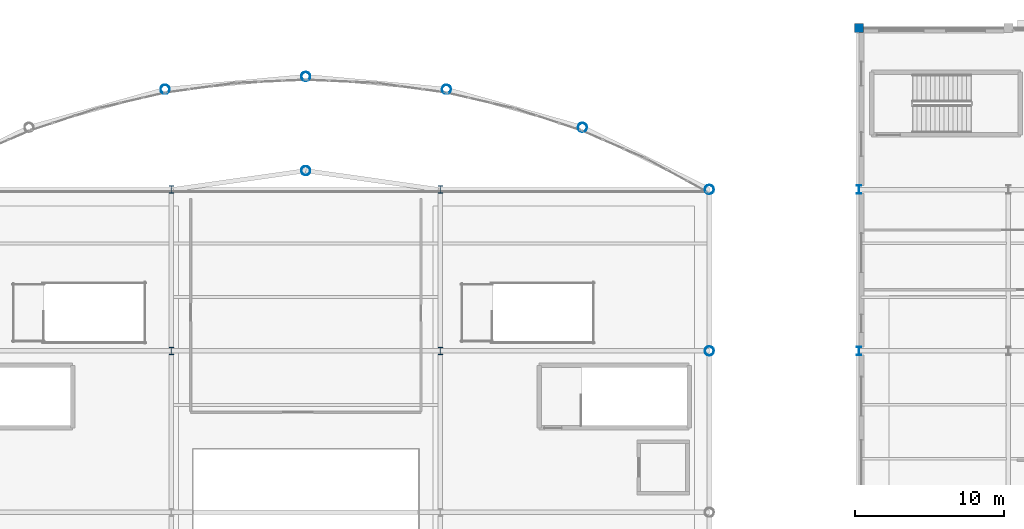
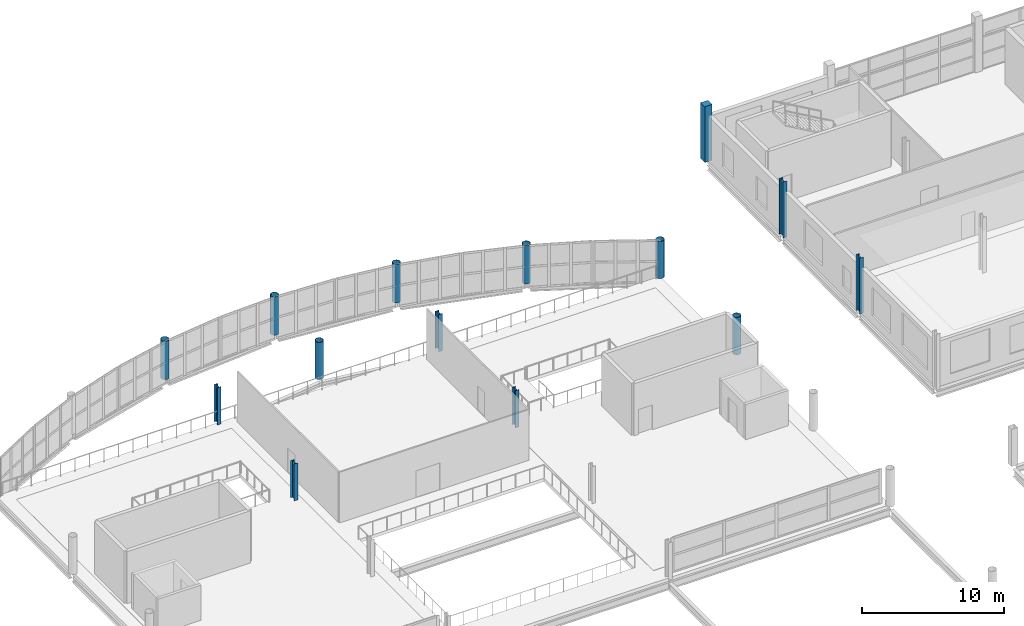
# One storey, part 12 of 134: 14 columns.
"""IFC4 building model written with IfcOpenShell, lengths in metres."""

from ifc_helpers import new_model, si_unit, direction, frame, origin, origin_2d, place, context, subcontext, project, spatial, rectangle, hollow_circle, i_section, extrude, material, material_profile, profile_set, type_object, element, save


model = new_model("IFC4")

# Units and contexts
model_context = context("Model", 3, precision=1e-05, world=origin(), true_north=direction((0.0, 1.0)))
body_context = subcontext(model_context, "Body", "Model", "MODEL_VIEW")
ifc_project = project(units=[si_unit("LENGTHUNIT", "METRE"), si_unit("AREAUNIT", "SQUARE_METRE"), si_unit("VOLUMEUNIT", "CUBIC_METRE"), si_unit("PLANEANGLEUNIT", "RADIAN"), si_unit("MASSUNIT", "GRAM", prefix="KILO")], contexts=[model_context])

# Site, building, storey
site_placement = place(None, origin())
site = spatial("IfcSite", under=ifc_project, at=site_placement, CompositionType="ELEMENT")
building_placement = place(site_placement, origin())
building = spatial("IfcBuilding", under=site, at=building_placement, Name="Tamarisk Ironworks Central Station", CompositionType="ELEMENT")
storey_placement = place(building_placement, frame((0.0, 0.0, 12.60009765625)))
storey = spatial("IfcBuildingStorey", under=building, at=storey_placement, Name="L02", CompositionType="ELEMENT", Elevation=12.60009765625)

# Columns
ifc_material_1 = material(Name="Concrete C50/60", Category="concrete")
ifc_material_profile_1 = material_profile(ifc_material_1, rectangle(XDim=0.60009765625, YDim=0.60009765625, at=origin_2d()), Name="RC 600x600")
ifc_profile_set_1 = profile_set([ifc_material_profile_1], Name="Concrete C50/60")
column_type_1 = type_object("IfcColumnType", Name="COL-RC03", PredefinedType="COLUMN", material=ifc_profile_set_1)
column_placement = place(storey_placement, frame((118.0, 122.39990234375, 0.0), z_axis=(0.0, 0.0, 1.0), x_axis=(1.0, 0.0, 0.0)))
element("IfcColumn", 1, at=column_placement, inside=storey, type_object=column_type_1, Name="L02 column V5-15N", PredefinedType="COLUMN", context=body_context, shape_type="SweptSolid", body=[
    extrude(rectangle(XDim=0.60009765625, YDim=0.60009765625, at=origin_2d()), origin(), (0.0, 0.0, 1.0), 4.7998046875),
])
ifc_material_2 = material(Name="Structural steel S355J2", Category="steel")
ifc_material_profile_2 = material_profile(ifc_material_2, i_section(OverallWidth=0.300048828125, OverallDepth=0.550048828125, WebThickness=0.014892578125, FlangeThickness=0.029052734375, at=origin_2d()), Name="HEB 550")
ifc_profile_set_2 = profile_set([ifc_material_profile_2], Name="Structural steel S355J2")
column_type_2 = type_object("IfcColumnType", Name="COL-S06", PredefinedType="COLUMN", material=ifc_profile_set_2)
for number, where, z_axis, x_axis, name in (
    (2, (118.0, 100.800048828125, 0.0), (0.0, 0.0, 1.0), (1.0, 0.0, 0.0), "L02 column V5-15J"),
    (3, (118.0, 111.60009765625, 0.0), (0.0, 0.0, 1.0), (1.0, 0.0, 0.0), "L02 column V5-15L"),
):
    element("IfcColumn", number, at=place(storey_placement, frame(where, z_axis=z_axis, x_axis=x_axis)), inside=storey, type_object=column_type_2, Name=name, PredefinedType="COLUMN", context=body_context, shape_type="SweptSolid", body=[
        extrude(i_section(OverallWidth=0.300048828125, OverallDepth=0.550048828125, WebThickness=0.014892578125, FlangeThickness=0.029052734375, at=origin_2d()), origin(), (0.0, 0.0, 1.0), 4.7998046875),
    ])
ifc_material_profile_3 = material_profile(ifc_material_2, i_section(OverallWidth=0.300048828125, OverallDepth=0.5, WebThickness=0.014404296875, FlangeThickness=0.028076171875, at=origin_2d()), Name="HEB 500")
ifc_profile_set_3 = profile_set([ifc_material_profile_3], Name="Structural steel S355J2")
column_type_3 = type_object("IfcColumnType", Name="COL-S07", PredefinedType="COLUMN", material=ifc_profile_set_3)
for number, where, z_axis, x_axis, name in (
    (4, (72.0, 100.800048828125, 0.0), (0.0, 0.0, 1.0), (1.0, 0.0, 0.0), "L02 column V2-09J"),
    (5, (72.0, 111.60009765625, 0.0), (0.0, 0.0, 1.0), (1.0, 0.0, 0.0), "L02 column V2-09L"),
    (6, (90.0, 100.800048828125, 0.0), (0.0, 0.0, 1.0), (1.0, 0.0, 0.0), "L02 column V2-12J"),
    (7, (90.0, 111.60009765625, 0.0), (0.0, 0.0, 1.0), (1.0, 0.0, 0.0), "L02 column V2-12L"),
):
    element("IfcColumn", number, at=place(storey_placement, frame(where, z_axis=z_axis, x_axis=x_axis)), inside=storey, type_object=column_type_3, Name=name, PredefinedType="COLUMN", context=body_context, shape_type="SweptSolid", body=[
        extrude(i_section(OverallWidth=0.300048828125, OverallDepth=0.5, WebThickness=0.014404296875, FlangeThickness=0.028076171875, at=origin_2d()), origin(), (0.0, 0.0, 1.0), 3.199951171875),
    ])
ifc_material_3 = material(Name="Painted structural steel S355J2", Category="steel")
ifc_material_profile_4 = material_profile(ifc_material_3, hollow_circle(Radius=0.304931640625, WallThickness=0.02001953125, at=origin_2d()), Name="CHS 610x20")
ifc_profile_set_4 = profile_set([ifc_material_profile_4], Name="Painted structural steel S355J2")
column_type_4 = type_object("IfcColumnType", Name="COL-S15", PredefinedType="COLUMN", material=ifc_profile_set_4)
for number, where, z_axis, x_axis, name in (
    (8, (108.0, 100.800048828125, 0.0), (0.0, 0.0, 1.0), (1.0, 0.0, 0.0), "L02 column V2-14J"),
    (9, (108.0, 111.60009765625, 0.0), (0.0, 0.0, 1.0), (1.0, 0.0, 0.0), "L02 column V2-14L"),
    (10, (81.0, 112.860107421875, 0.0), (0.0, 0.0, 1.0), (1.0, 0.0, 0.0), "L02 column V2-NAC"),
):
    element("IfcColumn", number, at=place(storey_placement, frame(where, z_axis=z_axis, x_axis=x_axis)), inside=storey, type_object=column_type_4, Name=name, PredefinedType="COLUMN", context=body_context, shape_type="SweptSolid", body=[
        extrude(hollow_circle(Radius=0.304931640625, WallThickness=0.02001953125, at=origin_2d()), origin(), (0.0, 0.0, 1.0), 3.199951171875),
    ])
for number, where, z_axis, x_axis, name in (
    (11, (71.589111328125, 118.30029296875, 0.0), (0.0, 0.0, 1.0), (1.0, 0.0, 0.0), "L02 column V2-NN04"),
    (12, (81.0, 119.158935546875, 0.0), (0.0, 0.0, 1.0), (1.0, 0.0, 0.0), "L02 column V2-NN06"),
    (13, (90.410888671875, 118.30029296875, 0.0), (0.0, 0.0, 1.0), (1.0, 0.0, 0.0), "L02 column V2-NN08"),
    (14, (99.51123046875, 115.752685546875, 0.0), (0.0, 0.0, 1.0), (1.0, 0.0, 0.0), "L02 column V2-NN10"),
):
    element("IfcColumn", number, at=place(storey_placement, frame(where, z_axis=z_axis, x_axis=x_axis)), inside=storey, type_object=column_type_4, Name=name, PredefinedType="COLUMN", context=body_context, shape_type="SweptSolid", body=[
        extrude(hollow_circle(Radius=0.304931640625, WallThickness=0.02001953125, at=origin_2d()), origin(), (0.0, 0.0, 1.0), 3.2998046875),
    ])

save(model, "model.ifc")
